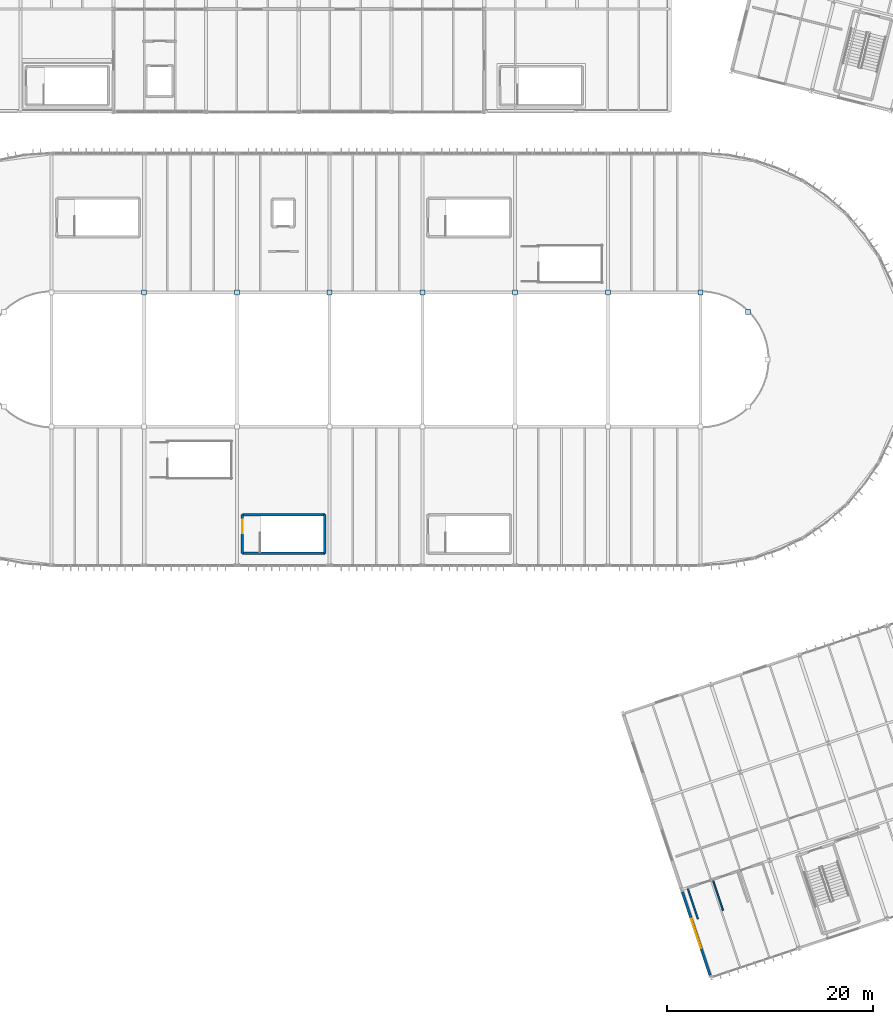
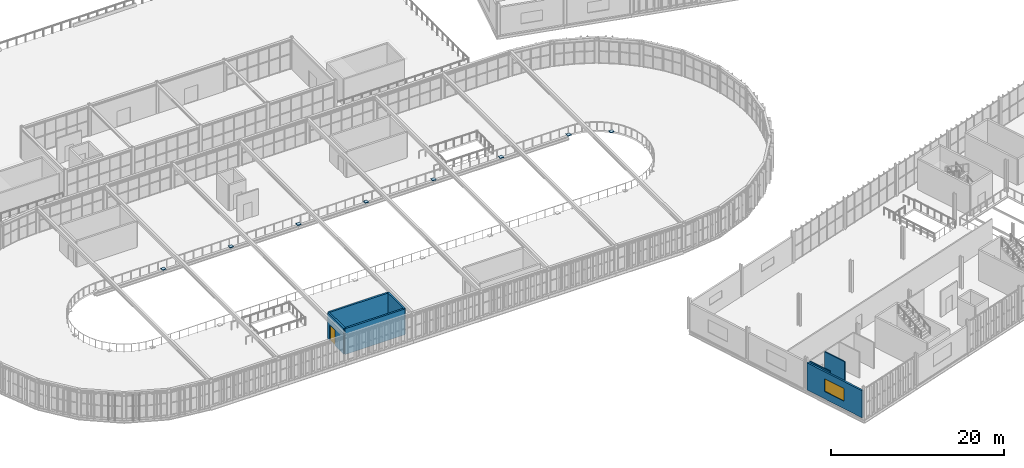
# One storey, part 119 of 152: 8 plates, 7 walls, 1 door, 1 window, 2 openings.
"""IFC4 building model written with IfcOpenShell, lengths in metres."""

from ifc_helpers import new_model, si_unit, derived_unit, direction, frame, frame_2d, origin, origin_2d, place, context, subcontext, project, spatial, rectangle, extrude, material, layer, layer_set, type_object, element, fill, save


model = new_model("IFC4")

# Units and contexts
model_context = context("Model", 3, precision=1e-05, world=origin(), true_north=direction((0.0, 1.0)))
body_context = subcontext(model_context, "Body", "Model", "MODEL_VIEW")
ifc_project = project(units=[si_unit("LENGTHUNIT", "METRE"), si_unit("AREAUNIT", "SQUARE_METRE"), si_unit("VOLUMEUNIT", "CUBIC_METRE"), si_unit("PLANEANGLEUNIT", "RADIAN"), si_unit("MASSUNIT", "GRAM", prefix="KILO"), si_unit("THERMODYNAMICTEMPERATUREUNIT", "KELVIN"), si_unit("TIMEUNIT", "SECOND"), derived_unit("THERMALTRANSMITTANCEUNIT", [(si_unit("MASSUNIT", "GRAM", prefix="KILO"), 1), (si_unit("THERMODYNAMICTEMPERATUREUNIT", "KELVIN"), -1), (si_unit("TIMEUNIT", "SECOND"), -3)])], contexts=[model_context])

# Site, building, storey
site_placement = place(None, origin())
site = spatial("IfcSite", under=ifc_project, at=site_placement, CompositionType="ELEMENT")
building_placement = place(site_placement, origin())
building = spatial("IfcBuilding", under=site, at=building_placement, Name="Cambertide Market Hall", CompositionType="ELEMENT")
storey_placement = place(building_placement, frame((0.0, 0.0, 5.39990234375)))
storey = spatial("IfcBuildingStorey", under=building, at=storey_placement, Name="L02", CompositionType="ELEMENT", Elevation=5.39990234375)

# Plates
ifc_material_1 = material(Name="Steel S355", Category="steel")
ifc_layer_1 = layer(ifc_material_1, 0.02197265625, Name="Steel End Cap Plate EC-01")
ifc_layer_set_1 = layer_set([ifc_layer_1], Name="Steel S355")
plate_type = type_object("IfcPlateType", Name="Steel End Cap Plate EC-01", PredefinedType="USERDEFINED", material=ifc_layer_set_1)
for number, where, z_axis, x_axis, name in (
    (1, (51.0, 78.5, 0.0), (0.0, 0.0, 1.0), (1.0, 0.0, 0.0), "Level 2 Mezzanine Column End Cap Plate V1-MN2"),
    (2, (60.0, 78.5, 0.0), (0.0, 0.0, 1.0), (1.0, 0.0, 0.0), "Level 2 Mezzanine Column End Cap Plate V1-MN3"),
    (3, (69.0, 78.5, 0.0), (0.0, 0.0, 1.0), (1.0, 0.0, 0.0), "Level 2 Mezzanine Column End Cap Plate V1-MN4"),
    (4, (78.0, 78.5, 0.0), (0.0, 0.0, 1.0), (1.0, 0.0, 0.0), "Level 2 Mezzanine Column End Cap Plate V1-MN5"),
    (5, (87.0, 78.5, 0.0), (0.0, 0.0, 1.0), (1.0, 0.0, 0.0), "Level 2 Mezzanine Column End Cap Plate V1-MN6"),
    (6, (96.0, 78.5, 0.0), (0.0, 0.0, 1.0), (1.0, 0.0, 0.0), "Level 2 Mezzanine Column End Cap Plate V1-MN7"),
    (7, (105.0, 78.5, 0.0), (0.0, 0.0, 1.0), (1.0, 0.0, 0.0), "Level 2 Mezzanine Column End Cap Plate V1-MN8"),
    (8, (109.59619140625, 76.59619140625, 0.0), (0.0, 0.0, 1.0), (1.0, 0.0, 0.0), "Level 2 Mezzanine Column End Cap Plate V1-ME18"),
):
    element("IfcPlate", number, at=place(storey_placement, frame(where, z_axis=z_axis, x_axis=x_axis)), inside=storey, type_object=plate_type, Name=name, ObjectType="END CAP PLATE", PredefinedType="USERDEFINED", context=body_context, shape_type="SweptSolid", body=[
        extrude(rectangle(XDim=0.47998046875, YDim=0.47998046875, at=origin_2d()), origin(), (0.0, 0.0, 1.0), 0.02197265625),
    ])

# Wall, opening, window
ifc_material_2 = material(Name="Autoclaved Aerated Concrete Blockwork M7.5", Category="masonry")
ifc_layer_2 = layer(ifc_material_2, 0.235107421875, Name="Food Court Acoustic Facade Wall 235")
ifc_layer_set_2 = layer_set([ifc_layer_2], Name="Autoclaved Aerated Concrete Blockwork M7.5")
wall_type_1 = type_object("IfcWallType", Name="Food Court Acoustic Facade Wall 235", PredefinedType="SOLIDWALL", material=ifc_layer_set_2)
wall_1_placement = place(storey_placement, frame((105.924072265625, 12.227783203125, 0.0), z_axis=(0.0, 0.0, 1.0), x_axis=(-0.316236362498, 0.948680432514, 0.0)))
wall_1 = element("IfcWall", 9, at=wall_1_placement, inside=storey, type_object=wall_type_1, Name="Level 2 Exterior Wall EW-L02-V3W-1", PredefinedType="SOLIDWALL", context=body_context, shape_type="SweptSolid", body=[
    extrude(rectangle(XDim=8.52001953125, YDim=0.235107421875, at=frame_2d((4.260009765625, 0.0))), origin(), (0.0, 0.0, 1.0), 3.8251953125),
])
opening_1_placement = place(wall_1_placement, frame((2.760009765625, 0.0, 1.050048828125)))
opening_1 = element("IfcOpeningElement", 10, at=opening_1_placement, cuts=wall_1, Name="Opening WN-04", PredefinedType="OPENING", context=body_context, shape_type="SweptSolid", body=[
    extrude(rectangle(XDim=3.0, YDim=1.800048828125, at=frame_2d((1.5, 0.89990234375))), frame((0.0, 0.12744140625, 0.0), z_axis=(0.0, -1.0, 0.0), x_axis=(1.0, 0.0, 0.0)), (0.0, 0.0, 1.0), 0.255126953125),
])
ifc_material_3 = material(Name="Low-E Laminated Insulated Glass", Category="glass")
window_type = type_object("IfcWindowType", Name="Hawker Hall Louvered Window 3000x1800", PartitioningType="SINGLE_PANEL", PredefinedType="WINDOW", material=ifc_material_3)
window_placement = place(opening_1_placement, origin())
window = element("IfcWindow", 11, at=window_placement, inside=storey, type_object=window_type, Name="Level 2 Window EW-L02-V3W-1-WN", OverallHeight=1.800048828125, OverallWidth=3.0, PartitioningType="SINGLE_PANEL", PredefinedType="WINDOW", context=body_context, shape_type="SweptSolid", body=[
    extrude(rectangle(XDim=3.0, YDim=1.800048828125, at=frame_2d((1.5, 0.89990234375))), frame((0.0, 0.030029296875, 0.0), z_axis=(0.0, -1.0, 0.0), x_axis=(1.0, 0.0, 0.0)), (0.0, 0.0, 1.0), 0.06005859375),
])
fill(opening_1, window)

# Walls
ifc_material_4 = material(Name="Autoclaved Aerated Concrete Blockwork M7.5", Category="masonry")
ifc_layer_3 = layer(ifc_material_4, 0.139892578125, Name="Sanitary & Wet-Area Masonry Partition 140")
ifc_layer_set_3 = layer_set([ifc_layer_3], Name="Autoclaved Aerated Concrete Blockwork M7.5")
wall_type_2 = type_object("IfcWallType", Name="Sanitary & Wet-Area Masonry Partition 140", PredefinedType="PARTITIONING", material=ifc_layer_set_3)
for number, where, z_axis, x_axis, name in (
    (12, (107.173095703125, 18.5048828125, 0.0), (0.0, 0.0, 1.0), (-0.316204139208, 0.948691173326, 0.0), "Level 2 Interior Wall WCW-L02-L02A-D1"),
    (13, (104.735107421875, 17.692138671875, 0.0), (0.0, 0.0, 1.0), (-0.316204139208, 0.948691173326, 0.0), "Level 2 Interior Wall WCW-L02-L02A-L"),
):
    element("IfcWall", number, at=place(storey_placement, frame(where, z_axis=z_axis, x_axis=x_axis)), inside=storey, type_object=wall_type_2, Name=name, PredefinedType="PARTITIONING", context=body_context, shape_type="SweptSolid", body=[
        extrude(rectangle(XDim=3.099853515625, YDim=0.139892578125, at=frame_2d((1.5498046875, 0.0))), origin(), (0.0, 0.0, 1.0), 3.64013671875),
    ])

# Wall, opening, door
ifc_material_5 = material(Name="Concrete B35", Category="concrete")
ifc_layer_4 = layer(ifc_material_5, 0.239990234375, Name="Stair & Lift Core Shaft Wall 240")
ifc_layer_set_4 = layer_set([ifc_layer_4], Name="Concrete B35")
wall_type_3 = type_object("IfcWallType", Name="Stair & Lift Core Shaft Wall 240", PredefinedType="SOLIDWALL", material=ifc_layer_set_4)
wall_2_placement = place(storey_placement, frame((60.52490234375, 53.175048828125, 0.0), z_axis=(0.0, 0.0, 1.0), x_axis=(0.0, 1.0, 0.0)))
wall_2 = element("IfcWall", 14, at=wall_2_placement, inside=storey, type_object=wall_type_3, Name="Level 2 Interior Wall SHW-ST-02-L02-NEAR", PredefinedType="SOLIDWALL", context=body_context, shape_type="SweptSolid", body=[
    extrude(rectangle(XDim=3.75, YDim=0.239990234375, at=frame_2d((1.875, 0.0))), origin(), (0.0, 0.0, 1.0), 3.64013671875),
])
opening_2_placement = place(wall_2_placement, frame((1.9599609375, 0.0, 0.0)))
opening_2 = element("IfcOpeningElement", 15, at=opening_2_placement, cuts=wall_2, Name="Opening FD-01", PredefinedType="OPENING", context=body_context, shape_type="SweptSolid", body=[
    extrude(rectangle(XDim=1.300048828125, YDim=2.14990234375, at=frame_2d((0.64990234375, 1.074951171875))), frame((0.0, 0.1298828125, 0.0), z_axis=(0.0, -1.0, 0.0), x_axis=(1.0, 0.0, 0.0)), (0.0, 0.0, 1.0), 0.260009765625),
])
ifc_material_6 = material(Name="Powder-Coated Galvanized Sheet Metal", Category="metal")
door_type = type_object("IfcDoorType", Name="Stair Core Fire Door 1300x2150", OperationType="NOTDEFINED", PredefinedType="DOOR", material=ifc_material_6)
door_placement = place(opening_2_placement, origin())
door = element("IfcDoor", 16, at=door_placement, inside=storey, type_object=door_type, Name="Level 2 Door SHW-ST-02-L02-NEAR-DR1", OperationType="SINGLE_SWING_RIGHT", OverallHeight=2.14990234375, OverallWidth=1.300048828125, PredefinedType="DOOR", context=body_context, shape_type="SweptSolid", body=[
    extrude(rectangle(XDim=1.300048828125, YDim=2.14990234375, at=frame_2d((0.64990234375, 1.074951171875))), frame((0.0, 0.02490234375, 0.0), z_axis=(0.0, -1.0, 0.0), x_axis=(1.0, 0.0, 0.0)), (0.0, 0.0, 1.0), 0.050048828125),
])
fill(opening_2, door)

# Walls
wall_3_placement = place(storey_placement, frame((68.52490234375, 53.175048828125, 0.0), z_axis=(0.0, 0.0, 1.0), x_axis=(-1.0, 0.0, 0.0)))
element("IfcWall", 17, at=wall_3_placement, inside=storey, type_object=wall_type_3, Name="Level 2 Interior Wall SHW-ST-02-L02-L", PredefinedType="SOLIDWALL", context=body_context, shape_type="SweptSolid", body=[
    extrude(rectangle(XDim=8.0, YDim=0.239990234375, at=frame_2d((4.0, 0.0))), origin(), (0.0, 0.0, 1.0), 3.64013671875),
])
wall_4_placement = place(storey_placement, frame((68.52490234375, 56.925048828125, 0.0), z_axis=(0.0, 0.0, 1.0), x_axis=(0.0, -1.0, 0.0)))
element("IfcWall", 18, at=wall_4_placement, inside=storey, type_object=wall_type_3, Name="Level 2 Interior Wall SHW-ST-02-L02-FAR", PredefinedType="SOLIDWALL", context=body_context, shape_type="SweptSolid", body=[
    extrude(rectangle(XDim=3.75, YDim=0.239990234375, at=frame_2d((1.875, 0.0))), origin(), (0.0, 0.0, 1.0), 3.64013671875),
])
wall_5_placement = place(storey_placement, frame((60.52490234375, 56.925048828125, 0.0), z_axis=(0.0, 0.0, 1.0), x_axis=(1.0, 0.0, 0.0)))
element("IfcWall", 19, at=wall_5_placement, inside=storey, type_object=wall_type_3, Name="Level 2 Interior Wall SHW-ST-02-L02-R", PredefinedType="SOLIDWALL", context=body_context, shape_type="SweptSolid", body=[
    extrude(rectangle(XDim=8.0, YDim=0.239990234375, at=frame_2d((4.0, 0.0))), origin(), (0.0, 0.0, 1.0), 3.64013671875),
])

save(model, "model.ifc")
